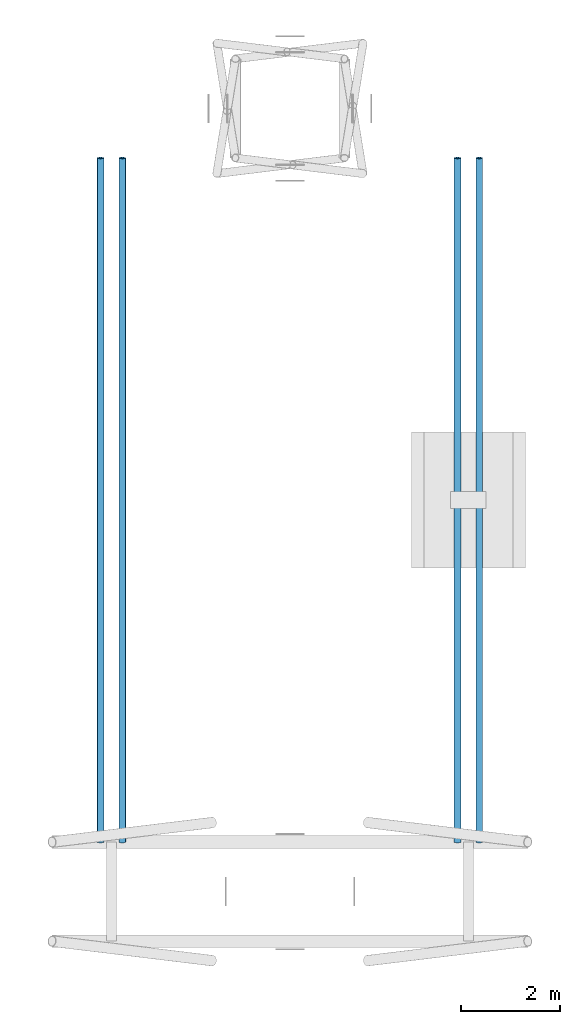
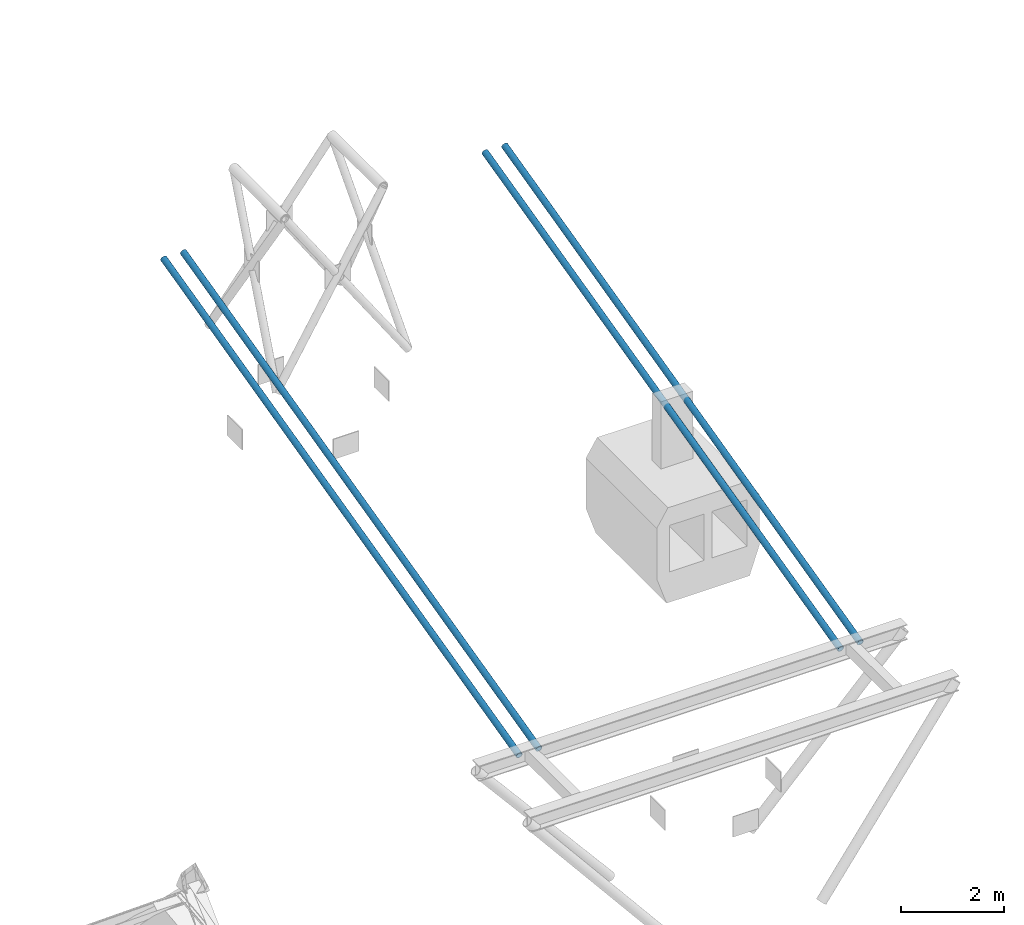
# One storey, part 33 of 108: 4 members.
"""IFC4 building model written with IfcOpenShell, lengths in metres."""

from ifc_helpers import new_model, si_unit, direction, frame, origin, origin_2d, place, context, subcontext, project, spatial, hollow_circle, extrude, material, material_profile, profile_set, type_object, element, save


model = new_model("IFC4")

# Units and contexts
model_context = context("Model", 3, precision=1e-05, world=origin(), true_north=direction((0.0, 1.0)))
body_context = subcontext(model_context, "Body", "Model", "MODEL_VIEW")
ifc_project = project(units=[si_unit("LENGTHUNIT", "METRE"), si_unit("AREAUNIT", "SQUARE_METRE"), si_unit("VOLUMEUNIT", "CUBIC_METRE"), si_unit("PLANEANGLEUNIT", "RADIAN"), si_unit("MASSUNIT", "GRAM", prefix="KILO")], contexts=[model_context])

# Site, building, storey
site_placement = place(None, origin())
site = spatial("IfcSite", under=ifc_project, at=site_placement, CompositionType="ELEMENT")
building_placement = place(site_placement, origin())
building = spatial("IfcBuilding", under=site, at=building_placement, Name="Cumevento Cable Car Station", CompositionType="ELEMENT")
storey_placement = place(building_placement, frame((0.0, 0.0, 13.5)))
storey = spatial("IfcBuildingStorey", under=building, at=storey_placement, Name="L04", CompositionType="ELEMENT", Elevation=13.5)

# Members
ifc_material = material(Name="Steel ASTM A572 Grade 50", Category="steel")
ifc_material_profile = material_profile(ifc_material, hollow_circle(Radius=0.06982421875, WallThickness=0.008056640625, at=origin_2d()), Name="CHS139.7x8.0")
ifc_profile_set = profile_set([ifc_material_profile], Name="Steel ASTM A572 Grade 50")
member_type = type_object("IfcMemberType", Name="Framing Brace BR-02 CHS139.7x8.0", PredefinedType="BRACE", material=ifc_profile_set)
for number, where, z_axis, x_axis, name in (
    (1, (90.179931640625, 22.0, 5.719970703125), (0.0, -0.970966404298, -0.239215889363), (1.0, 0.0, 0.0), "Lower Foothill Track Rope A #659"),
    (2, (90.6201171875, 22.0, 5.719970703125), (0.0, -0.970966404298, -0.239215889363), (1.0, 0.0, 0.0), "Lower Foothill Track Rope B #663"),
    (3, (97.3798828125, 22.0, 5.719970703125), (0.0, -0.970966404298, -0.239215889363), (1.0, 0.0, 0.0), "Lower Foothill Track Rope A #667"),
    (4, (97.820068359375, 22.0, 5.719970703125), (0.0, -0.970966404298, -0.239215889363), (1.0, 0.0, 0.0), "Lower Foothill Track Rope B #671"),
):
    element("IfcMember", number, at=place(storey_placement, frame(where, z_axis=z_axis, x_axis=x_axis)), inside=storey, type_object=member_type, Name=name, PredefinedType="BRACE", context=body_context, shape_type="SweptSolid", body=[
        extrude(hollow_circle(Radius=0.06982421875, WallThickness=0.008056640625, at=origin_2d()), origin(), (0.0, 0.0, 1.0), 14.212646484375),
    ])

save(model, "model.ifc")
